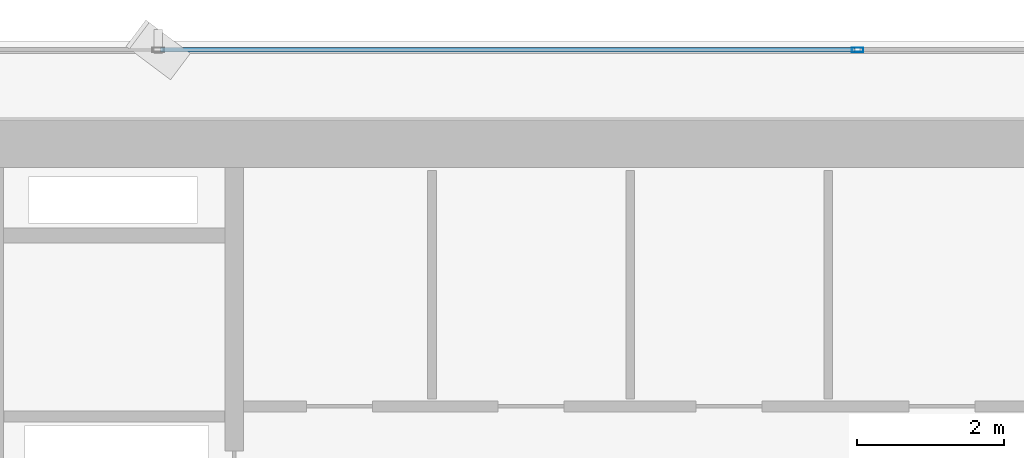
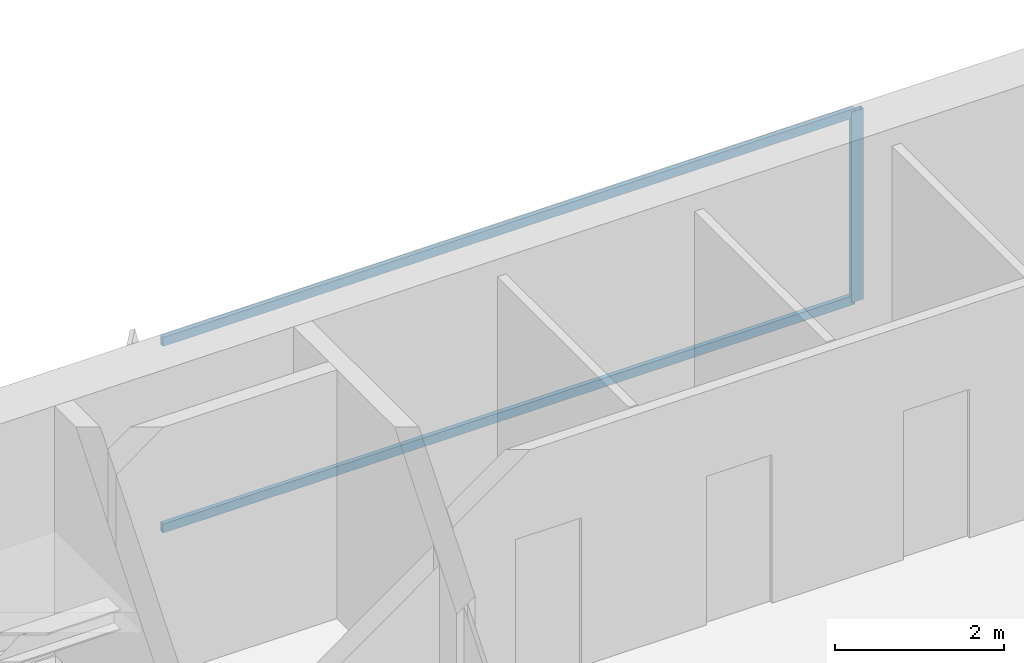
# One storey, part 16 of 27: 3 members, 1 element without a shape of its own.
"""IFC4 building model written with IfcOpenShell, lengths in metres."""

from ifc_helpers import new_model, si_unit, direction, frame, origin, origin_2d, place, context, subcontext, project, spatial, hollow_rectangle, extrude, source, transform, mapped, material, layer, layer_set, material_profile, profile_set, type_object, element, aggregate, save


model = new_model("IFC4")

# Units and contexts
model_context = context("Model", 3, precision=1e-05, world=origin(), true_north=direction((0.0, 1.0)))
body_context = subcontext(model_context, "Body", "Model", "MODEL_VIEW")
ifc_project = project(units=[si_unit("LENGTHUNIT", "METRE"), si_unit("AREAUNIT", "SQUARE_METRE"), si_unit("VOLUMEUNIT", "CUBIC_METRE"), si_unit("PLANEANGLEUNIT", "RADIAN"), si_unit("MASSUNIT", "GRAM", prefix="KILO")], contexts=[model_context])

# Site, building, storey
site_placement = place(None, origin())
site = spatial("IfcSite", under=ifc_project, at=site_placement, CompositionType="ELEMENT")
building_placement = place(site_placement, origin())
building = spatial("IfcBuilding", under=site, at=building_placement, Name="Sumidabori Civic Tower", CompositionType="ELEMENT")
storey_placement = place(building_placement, frame((0.0, 0.0, 138.800048828125)))
storey = spatial("IfcBuildingStorey", under=building, at=storey_placement, Name="L35", CompositionType="ELEMENT", Elevation=138.800048828125)

# Curtain wall, members
ifc_material = material(Name="Anodised Bronze Aluminium AW-6063-T6", Category="aluminium")
ifc_layer = layer(ifc_material, 0.179931640625, Name="Anodised Bronze Aluminium AW-6063-T6")
ifc_layer_set = layer_set([ifc_layer], Name="Anodised Bronze Aluminium AW-6063-T6")
curtain_wall_type = type_object("IfcCurtainWallType", Name="CW-SYS-3", PredefinedType="NOTDEFINED", material=ifc_layer_set)
curtain_wall_placement = place(storey_placement, origin())
curtain_wall = element("IfcCurtainWall", 1, at=curtain_wall_placement, inside=storey, type_object=curtain_wall_type, Name="Curtain Wall CW:L35:R07", PredefinedType="NOTDEFINED")
ifc_material_profile_1 = material_profile(ifc_material, hollow_rectangle(XDim=0.06494140625, YDim=0.159912109375, WallThickness=0.0048828125, at=origin_2d()), Name="ALU MULLION 160x65")
ifc_profile_set_1 = profile_set([ifc_material_profile_1], Name="Anodised Bronze Aluminium AW-6063-T6")
member_type_1 = type_object("IfcMemberType", Name="CW-MUL-160", PredefinedType="MULLION", material=ifc_profile_set_1)
shared_shape_1 = source(origin(), body_context, "Body", "SweptSolid", [
    extrude(hollow_rectangle(XDim=0.06494140625, YDim=0.159912109375, WallThickness=0.0048828125, at=origin_2d()), origin(), (0.0, 0.0, 1.0), 2.760009765625),
])
member_1_placement = place(storey_placement, frame((0.0, 25.080078125, 0.0), z_axis=(0.0, 0.0, 1.0), x_axis=(0.0, -1.0, 0.0)))
member_1 = element("IfcMember", 2, at=member_1_placement, type_object=member_type_1, Name="CW-3 mullion 3", PredefinedType="MULLION", context=body_context, shape_type="MappedRepresentation", body=[
    mapped(shared_shape_1, transform((0.0, 0.0, 0.0), x_axis=(1.0, 0.0, 0.0), y_axis=(0.0, 1.0, 0.0), z_axis=(0.0, 0.0, 1.0), scale=1.0)),
])
ifc_material_profile_2 = material_profile(ifc_material, hollow_rectangle(XDim=0.06005859375, YDim=0.1298828125, WallThickness=0.0048828125, at=origin_2d()), Name="ALU TRANSOM 130x60")
ifc_profile_set_2 = profile_set([ifc_material_profile_2], Name="Anodised Bronze Aluminium AW-6063-T6")
member_type_2 = type_object("IfcMemberType", Name="CW-TRN-130", PredefinedType="USERDEFINED", material=ifc_profile_set_2)
shared_shape_2 = source(origin(), body_context, "Body", "SweptSolid", [
    extrude(hollow_rectangle(XDim=0.06005859375, YDim=0.1298828125, WallThickness=0.0048828125, at=origin_2d()), origin(), (0.0, 0.0, 1.0), 9.469970703125),
])
member_2_placement = place(storey_placement, frame((-0.032470703125, 25.080078125, 0.030029296875), z_axis=(-1.0, 0.0, 0.0), x_axis=(0.0, -1.0, 0.0)))
member_2 = element("IfcMember", 3, at=member_2_placement, type_object=member_type_2, Name="CW-3 transom 3.1", ObjectType="TRANSOM", PredefinedType="USERDEFINED", context=body_context, shape_type="MappedRepresentation", body=[
    mapped(shared_shape_2, transform((0.0, 0.0, 0.0), x_axis=(1.0, 0.0, 0.0), y_axis=(0.0, 1.0, 0.0), z_axis=(0.0, 0.0, 1.0), scale=1.0)),
])
member_3_placement = place(storey_placement, frame((-0.032470703125, 25.080078125, 2.72998046875), z_axis=(-1.0, 0.0, 0.0), x_axis=(0.0, -1.0, 0.0)))
member_3 = element("IfcMember", 4, at=member_3_placement, type_object=member_type_2, Name="CW-3 transom 3.2", ObjectType="TRANSOM", PredefinedType="USERDEFINED", context=body_context, shape_type="MappedRepresentation", body=[
    mapped(shared_shape_2, transform((0.0, 0.0, 0.0), x_axis=(1.0, 0.0, 0.0), y_axis=(0.0, 1.0, 0.0), z_axis=(0.0, 0.0, 1.0), scale=1.0)),
])
aggregate(curtain_wall, [member_1, member_2, member_3])

save(model, "model.ifc")
